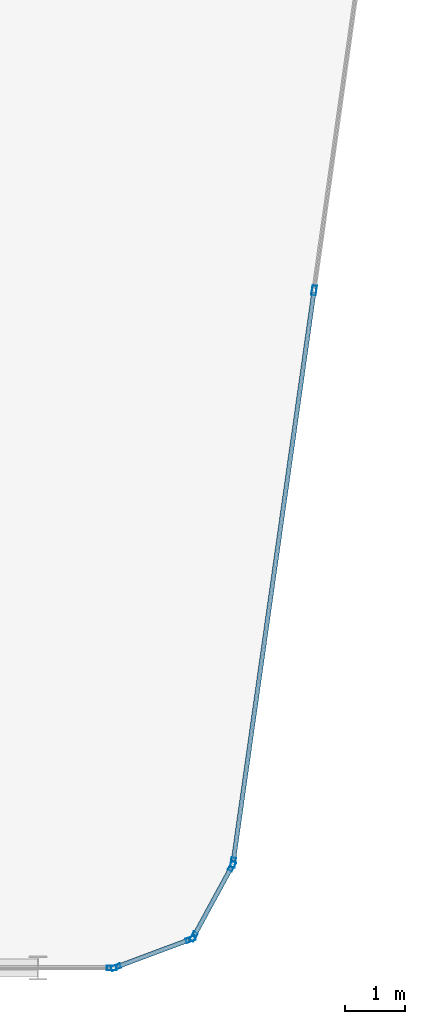
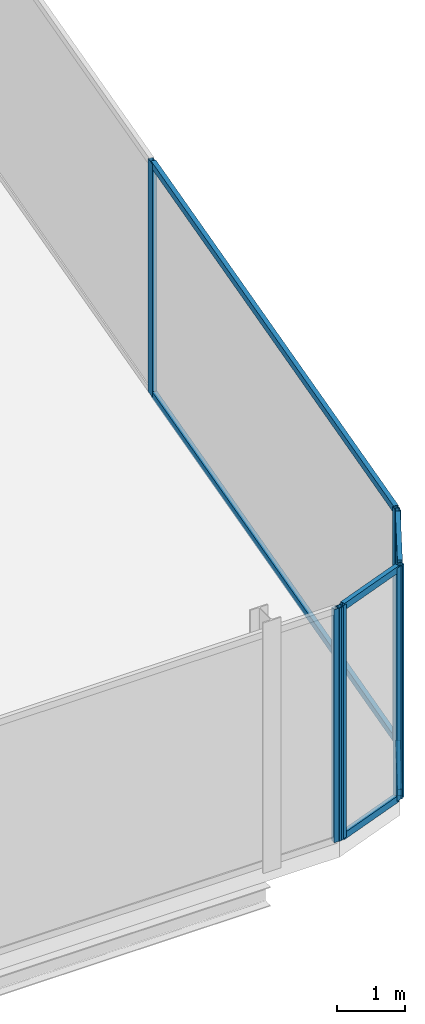
# One storey, part 11 of 24: 13 members, 4 elements without a shape of their own.
"""IFC4 building model written with IfcOpenShell, lengths in metres."""

from ifc_helpers import new_model, si_unit, direction, frame, origin, origin_2d, place, context, subcontext, project, spatial, hollow_rectangle, extrude, material, layer, layer_set, material_profile, profile_set, type_object, element, aggregate, save


model = new_model("IFC4")

# Units and contexts
model_context = context("Model", 3, precision=1e-05, world=origin(), true_north=direction((0.0, 1.0)))
body_context = subcontext(model_context, "Body", "Model", "MODEL_VIEW")
ifc_project = project(units=[si_unit("LENGTHUNIT", "METRE"), si_unit("AREAUNIT", "SQUARE_METRE"), si_unit("VOLUMEUNIT", "CUBIC_METRE"), si_unit("PLANEANGLEUNIT", "RADIAN"), si_unit("MASSUNIT", "GRAM", prefix="KILO")], contexts=[model_context])

# Site, building, storey
site_placement = place(None, origin())
site = spatial("IfcSite", under=ifc_project, at=site_placement, CompositionType="ELEMENT")
building_placement = place(site_placement, origin())
building = spatial("IfcBuilding", under=site, at=building_placement, Name="Keshet Zoharim Tower", CompositionType="ELEMENT")
storey_placement = place(building_placement, frame((0.0, 0.0, 299.10009765625)))
storey = spatial("IfcBuildingStorey", under=building, at=storey_placement, Name="L75", CompositionType="ELEMENT", Elevation=299.10009765625)

# Curtain wall, members
ifc_material = material(Name="Aluminium 6063-T6", Category="aluminium")
ifc_layer = layer(ifc_material, 0.260009765625)
ifc_layer_set = layer_set([ifc_layer], Name="Aluminium 6063-T6")
curtain_wall_type = type_object("IfcCurtainWallType", Name="CW-SYS-06", PredefinedType="NOTDEFINED", material=ifc_layer_set)
curtain_wall_1_placement = place(storey_placement, origin())
curtain_wall_1 = element("IfcCurtainWall", 1, at=curtain_wall_1_placement, inside=storey, type_object=curtain_wall_type, Name="L75 Unitised Curtain Wall 09", PredefinedType="NOTDEFINED")
ifc_material_profile_1 = material_profile(ifc_material, hollow_rectangle(XDim=0.074951171875, YDim=0.159912109375, WallThickness=0.00390625, at=origin_2d()), Name="MUL-75x160")
ifc_profile_set_1 = profile_set([ifc_material_profile_1], Name="Aluminium 6063-T6")
member_type_1 = type_object("IfcMemberType", Name="CWM-M15", PredefinedType="MULLION", material=ifc_profile_set_1)
member_1_placement = place(storey_placement, frame((43.595458984375, 17.97607421875, 0.0), z_axis=(0.0, 0.0, 1.0), x_axis=(0.990132057422, -0.140137464177, 0.0)))
member_1 = element("IfcMember", 2, at=member_1_placement, type_object=member_type_1, Name="CW-06 mullion 2", PredefinedType="MULLION", context=body_context, shape_type="SweptSolid", body=[
    extrude(hollow_rectangle(XDim=0.074951171875, YDim=0.159912109375, WallThickness=0.00390625, at=origin_2d()), origin(), (0.0, 0.0, 1.0), 4.18994140625),
])
member_2_placement = place(storey_placement, frame((42.247802734375, 8.45458984375, 0.0), z_axis=(0.0, 0.0, 1.0), x_axis=(0.990132057422, -0.140137464177, 0.0)))
member_2 = element("IfcMember", 3, at=member_2_placement, type_object=member_type_1, Name="CW-06 mullion 3", PredefinedType="MULLION", context=body_context, shape_type="SweptSolid", body=[
    extrude(hollow_rectangle(XDim=0.074951171875, YDim=0.159912109375, WallThickness=0.00390625, at=origin_2d()), origin(), (0.0, 0.0, 1.0), 4.18994140625),
])

curtain_wall_2_placement = place(storey_placement, origin())
curtain_wall_2 = element("IfcCurtainWall", 4, at=curtain_wall_2_placement, inside=storey, type_object=curtain_wall_type, Name="L75 Unitised Curtain Wall 10", PredefinedType="NOTDEFINED")
member_3_placement = place(storey_placement, frame((42.226318359375, 8.38916015625, 0.0), z_axis=(0.0, 0.0, 1.0), x_axis=(0.878468125004, -0.477800955789, 0.0)))
member_3 = element("IfcMember", 5, at=member_3_placement, type_object=member_type_1, Name="CW-06 mullion 1", PredefinedType="MULLION", context=body_context, shape_type="SweptSolid", body=[
    extrude(hollow_rectangle(XDim=0.074951171875, YDim=0.159912109375, WallThickness=0.00390625, at=origin_2d()), origin(), (0.0, 0.0, 1.0), 4.18994140625),
])
member_4_placement = place(storey_placement, frame((41.5908203125, 7.220703125, 0.0), z_axis=(0.0, 0.0, 1.0), x_axis=(0.878468125004, -0.477800955789, 0.0)))
member_4 = element("IfcMember", 6, at=member_4_placement, type_object=member_type_1, Name="CW-06 mullion 2", PredefinedType="MULLION", context=body_context, shape_type="SweptSolid", body=[
    extrude(hollow_rectangle(XDim=0.074951171875, YDim=0.159912109375, WallThickness=0.00390625, at=origin_2d()), origin(), (0.0, 0.0, 1.0), 4.18994140625),
])

curtain_wall_3_placement = place(storey_placement, origin())
curtain_wall_3 = element("IfcCurtainWall", 7, at=curtain_wall_3_placement, inside=storey, type_object=curtain_wall_type, Name="L75 Unitised Curtain Wall 11", PredefinedType="NOTDEFINED")
member_5_placement = place(storey_placement, frame((41.541259765625, 7.177734375, 0.0), z_axis=(0.0, 0.0, 1.0), x_axis=(0.350105315376, -0.936710343781, 0.0)))
member_5 = element("IfcMember", 8, at=member_5_placement, type_object=member_type_1, Name="CW-06 mullion 1", PredefinedType="MULLION", context=body_context, shape_type="SweptSolid", body=[
    extrude(hollow_rectangle(XDim=0.074951171875, YDim=0.159912109375, WallThickness=0.00390625, at=origin_2d()), origin(), (0.0, 0.0, 1.0), 4.18994140625),
])
member_6_placement = place(storey_placement, frame((40.2958984375, 6.712158203125, 0.0), z_axis=(0.0, 0.0, 1.0), x_axis=(0.350105315376, -0.936710343781, 0.0)))
member_6 = element("IfcMember", 9, at=member_6_placement, type_object=member_type_1, Name="CW-06 mullion 2", PredefinedType="MULLION", context=body_context, shape_type="SweptSolid", body=[
    extrude(hollow_rectangle(XDim=0.074951171875, YDim=0.159912109375, WallThickness=0.00390625, at=origin_2d()), origin(), (0.0, 0.0, 1.0), 4.18994140625),
])

# Curtain wall, member
curtain_wall_4_placement = place(storey_placement, origin())
curtain_wall_4 = element("IfcCurtainWall", 10, at=curtain_wall_4_placement, inside=storey, type_object=curtain_wall_type, Name="L75 Unitised Curtain Wall 12", PredefinedType="NOTDEFINED")
member_7_placement = place(storey_placement, frame((40.22802734375, 6.699951171875, 0.0), z_axis=(0.0, 0.0, 1.0), x_axis=(0.0, -1.0, 0.0)))
member_7 = element("IfcMember", 11, at=member_7_placement, type_object=member_type_1, Name="CW-06 mullion 1", PredefinedType="MULLION", context=body_context, shape_type="SweptSolid", body=[
    extrude(hollow_rectangle(XDim=0.074951171875, YDim=0.159912109375, WallThickness=0.00390625, at=origin_2d()), origin(), (0.0, 0.0, 1.0), 4.18994140625),
])
aggregate(curtain_wall_4, [member_7])

# Member
ifc_material_profile_2 = material_profile(ifc_material, hollow_rectangle(XDim=0.074951171875, YDim=0.1201171875, WallThickness=0.00390625, at=origin_2d()), Name="TRN-75x120")
ifc_profile_set_2 = profile_set([ifc_material_profile_2], Name="Aluminium 6063-T6")
member_type_2 = type_object("IfcMemberType", Name="CWT-T12", PredefinedType="USERDEFINED", material=ifc_profile_set_2)
member_8_placement = place(storey_placement, frame((43.590576171875, 17.94140625, 0.034912109375), z_axis=(-0.14012154881, -0.990134309859, 0.0), x_axis=(0.990134309859, -0.14012154881, 0.0)))
member_8 = element("IfcMember", 12, at=member_8_placement, type_object=member_type_2, Name="CW-06 transom 2.1", ObjectType="TRANSOM", PredefinedType="USERDEFINED", context=body_context, shape_type="SweptSolid", body=[
    extrude(hollow_rectangle(XDim=0.074951171875, YDim=0.1201171875, WallThickness=0.00390625, at=origin_2d()), origin(), (0.0, 0.0, 1.0), 9.54638671875),
])

member_9_placement = place(storey_placement, frame((43.590576171875, 17.94140625, 4.15478515625), z_axis=(-0.14012154881, -0.990134309859, 0.0), x_axis=(0.990134309859, -0.14012154881, 0.0)))
member_9 = element("IfcMember", 13, at=member_9_placement, type_object=member_type_2, Name="CW-06 transom 2.2", ObjectType="TRANSOM", PredefinedType="USERDEFINED", context=body_context, shape_type="SweptSolid", body=[
    extrude(hollow_rectangle(XDim=0.074951171875, YDim=0.1201171875, WallThickness=0.00390625, at=origin_2d()), origin(), (0.0, 0.0, 1.0), 9.54638671875),
])

aggregate(curtain_wall_1, [member_1, member_2, member_8, member_9])

member_10_placement = place(storey_placement, frame((42.20947265625, 8.3583984375, 0.034912109375), z_axis=(-0.47779293276, -0.878472488701, 0.0), x_axis=(0.878472488701, -0.47779293276, 0.0)))
member_10 = element("IfcMember", 14, at=member_10_placement, type_object=member_type_2, Name="CW-06 transom 1.1", ObjectType="TRANSOM", PredefinedType="USERDEFINED", context=body_context, shape_type="SweptSolid", body=[
    extrude(hollow_rectangle(XDim=0.074951171875, YDim=0.1201171875, WallThickness=0.00390625, at=origin_2d()), origin(), (0.0, 0.0, 1.0), 1.260009765625),
])

member_11_placement = place(storey_placement, frame((42.20947265625, 8.3583984375, 4.15478515625), z_axis=(-0.47779293276, -0.878472488701, 0.0), x_axis=(0.878472488701, -0.47779293276, 0.0)))
member_11 = element("IfcMember", 15, at=member_11_placement, type_object=member_type_2, Name="CW-06 transom 1.2", ObjectType="TRANSOM", PredefinedType="USERDEFINED", context=body_context, shape_type="SweptSolid", body=[
    extrude(hollow_rectangle(XDim=0.074951171875, YDim=0.1201171875, WallThickness=0.00390625, at=origin_2d()), origin(), (0.0, 0.0, 1.0), 1.260009765625),
])

aggregate(curtain_wall_2, [member_3, member_4, member_10, member_11])

member_12_placement = place(storey_placement, frame((41.508544921875, 7.16552734375, 0.034912109375), z_axis=(-0.93673477759, -0.350039935512, 0.0), x_axis=(0.350039935512, -0.93673477759, 0.0)))
member_12 = element("IfcMember", 16, at=member_12_placement, type_object=member_type_2, Name="CW-06 transom 1.1", ObjectType="TRANSOM", PredefinedType="USERDEFINED", context=body_context, shape_type="SweptSolid", body=[
    extrude(hollow_rectangle(XDim=0.074951171875, YDim=0.1201171875, WallThickness=0.00390625, at=origin_2d()), origin(), (0.0, 0.0, 1.0), 1.259521484375),
])

member_13_placement = place(storey_placement, frame((41.508544921875, 7.16552734375, 4.15478515625), z_axis=(-0.93673477759, -0.350039935512, 0.0), x_axis=(0.350039935512, -0.93673477759, 0.0)))
member_13 = element("IfcMember", 17, at=member_13_placement, type_object=member_type_2, Name="CW-06 transom 1.2", ObjectType="TRANSOM", PredefinedType="USERDEFINED", context=body_context, shape_type="SweptSolid", body=[
    extrude(hollow_rectangle(XDim=0.074951171875, YDim=0.1201171875, WallThickness=0.00390625, at=origin_2d()), origin(), (0.0, 0.0, 1.0), 1.259521484375),
])

aggregate(curtain_wall_3, [member_5, member_6, member_12, member_13])

save(model, "model.ifc")
